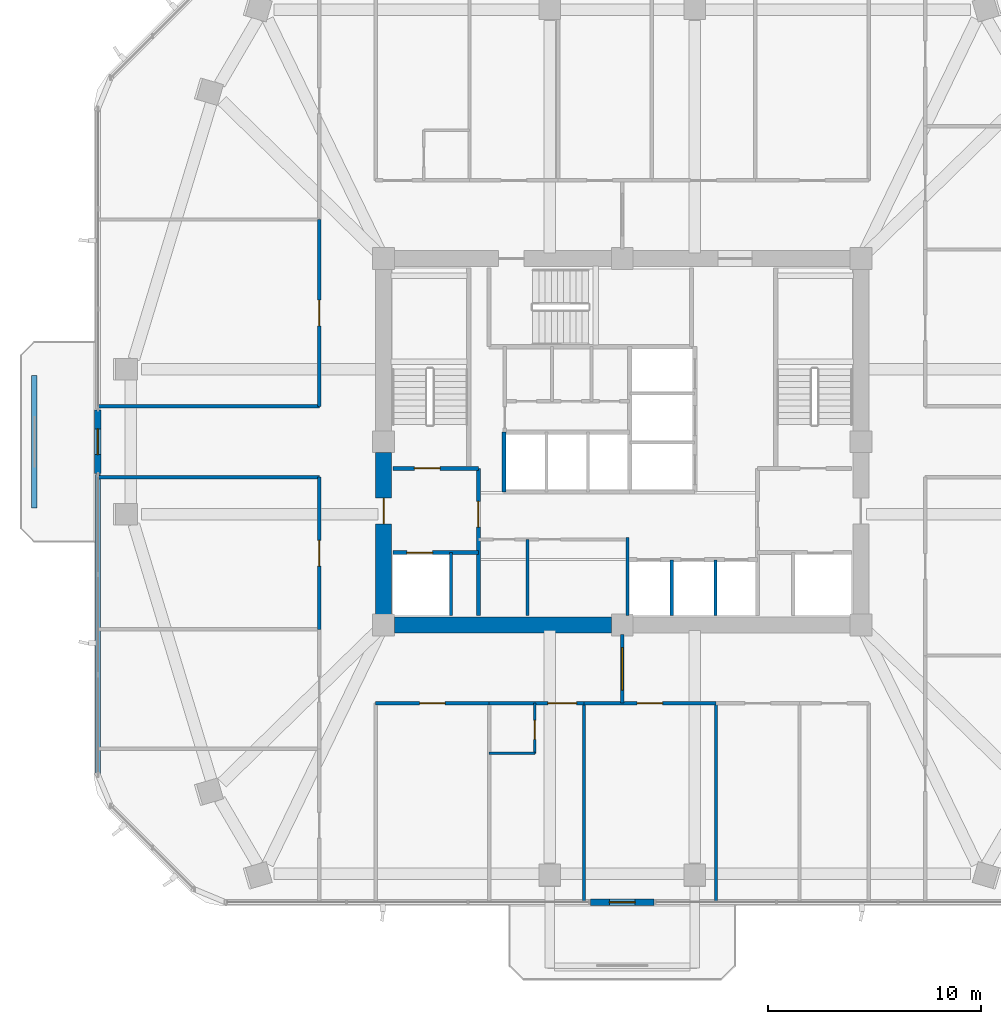
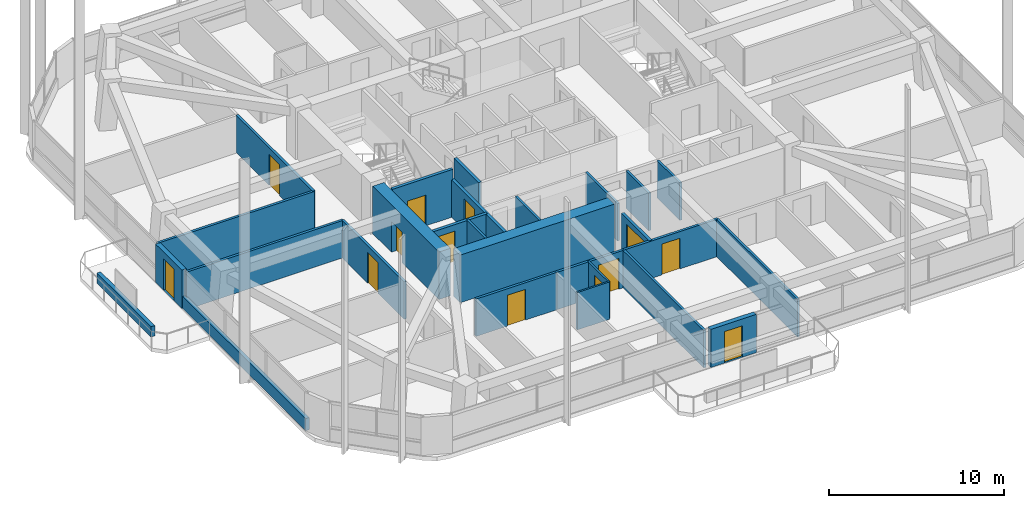
# One storey, part 8 of 15: 27 walls, 13 doors, 13 openings.
"""IFC4 building model written with IfcOpenShell, lengths in metres."""

from ifc_helpers import new_model, si_unit, derived_unit, direction, frame, frame_2d, origin, place, context, subcontext, project, spatial, rectangle, extrude, material, layer, layer_set, type_object, element, fill, save


model = new_model("IFC4")

# Units and contexts
model_context = context("Model", 3, precision=1e-05, world=origin(), true_north=direction((0.0, 1.0)))
body_context = subcontext(model_context, "Body", "Model", "MODEL_VIEW")
ifc_project = project(units=[si_unit("LENGTHUNIT", "METRE"), si_unit("AREAUNIT", "SQUARE_METRE"), si_unit("VOLUMEUNIT", "CUBIC_METRE"), si_unit("PLANEANGLEUNIT", "RADIAN"), si_unit("MASSUNIT", "GRAM", prefix="KILO"), derived_unit("THERMALTRANSMITTANCEUNIT", [(si_unit("POWERUNIT", "WATT"), 1), (si_unit("LENGTHUNIT", "METRE"), -2), (si_unit("THERMODYNAMICTEMPERATUREUNIT", "KELVIN"), -1)])], contexts=[model_context])

# Site, building, storey
site_placement = place(None, origin())
site = spatial("IfcSite", under=ifc_project, at=site_placement, CompositionType="ELEMENT")
building_placement = place(site_placement, origin())
building = spatial("IfcBuilding", under=site, at=building_placement, Name="Koralith Skygarden Medical Center", CompositionType="ELEMENT")
storey_placement = place(building_placement, frame((0.0, 0.0, 113.580078125)))
storey = spatial("IfcBuildingStorey", under=building, at=storey_placement, Name="L29", CompositionType="ELEMENT", Elevation=113.580078125)

# Walls
ifc_material_1 = material(Name="Gypsum Board Partition")
ifc_layer_1 = layer(ifc_material_1, 0.14990234375)
ifc_layer_set_1 = layer_set([ifc_layer_1], Name="Gypsum Board Partition")
wall_type_1 = type_object("IfcWallType", Name="Clinical Acoustic Partition 150", PredefinedType="PARTITIONING", material=ifc_layer_set_1)
wall_1_placement = place(storey_placement, frame((32.550048828125, 17.75, 0.0), z_axis=(0.0, 0.0, 1.0), x_axis=(0.0, 1.0, 0.0)))
element("IfcWall", 1, at=wall_1_placement, inside=storey, type_object=wall_type_1, Name="L29 Clinical Acoustic Partition 150 W-CORE-L29-FREED-LR-M", PredefinedType="PARTITIONING", context=body_context, shape_type="SweptSolid", body=[
    extrude(rectangle(XDim=3.570068359375, YDim=0.14990234375, at=frame_2d((1.78515625, 0.0))), origin(), (0.0, 0.0, 1.0), 2.60986328125),
])
for number, where, z_axis, x_axis, name in (
    (2, (35.199951171875, 13.639892578125, 0.0), (0.0, 0.0, 1.0), (0.0, -1.0, 0.0), "L29 Clinical Acoustic Partition 150 W-PART-L29-S-02"),
    (3, (41.39306640625, 13.639892578125, 0.0), (0.0, 0.0, 1.0), (0.0, -1.0, 0.0), "L29 Clinical Acoustic Partition 150 W-PART-L29-S-03"),
):
    element("IfcWall", number, at=place(storey_placement, frame(where, z_axis=z_axis, x_axis=x_axis)), inside=storey, type_object=wall_type_1, Name=name, PredefinedType="PARTITIONING", context=body_context, shape_type="SweptSolid", body=[
        extrude(rectangle(XDim=9.32080078125, YDim=0.14990234375, at=frame_2d((4.660400390625, 0.0))), origin(), (0.0, 0.0, 1.0), 2.60986328125),
    ])
ifc_layer_2 = layer(ifc_material_1, 0.1650390625)
ifc_layer_set_2 = layer_set([ifc_layer_2], Name="Gypsum Board Partition")
wall_type_2 = type_object("IfcWallType", Name="Clinical Corridor Partition 165", PredefinedType="PARTITIONING", material=ifc_layer_set_2)
for number, where, z_axis, x_axis, name in (
    (4, (12.416015625, 24.239990234375, 0.0), (0.0, 0.0, 1.0), (1.0, 0.0, 0.0), "L29 Clinical Corridor Partition 165 W-HCOR-L29-EWS-W"),
    (5, (12.416015625, 27.56005859375, 0.0), (0.0, 0.0, 1.0), (1.0, 0.0, 0.0), "L29 Clinical Corridor Partition 165 W-HCOR-L29-EWN-W"),
):
    element("IfcWall", number, at=place(storey_placement, frame(where, z_axis=z_axis, x_axis=x_axis)), inside=storey, type_object=wall_type_2, Name=name, PredefinedType="PARTITIONING", context=body_context, shape_type="SweptSolid", body=[
        extrude(rectangle(XDim=10.3740234375, YDim=0.1650390625, at=frame_2d((5.18701171875, 0.0))), origin(), (0.0, 0.0, 1.0), 2.60986328125),
    ])

# Wall, opening, door
wall_2_placement = place(storey_placement, frame((25.429931640625, 13.639892578125, 0.0), z_axis=(0.0, 0.0, 1.0), x_axis=(1.0, 0.0, 0.0)))
wall_2 = element("IfcWall", 6, at=wall_2_placement, inside=storey, type_object=wall_type_2, Name="L29 Clinical Corridor Partition 165 W-CORR-L29-S-01", PredefinedType="PARTITIONING", context=body_context, shape_type="SweptSolid", body=[
    extrude(rectangle(XDim=5.328125, YDim=0.1650390625, at=frame_2d((2.6640625, 0.0))), origin(), (0.0, 0.0, 1.0), 2.60986328125),
])
opening_1_placement = place(wall_2_placement, frame((2.06396484375, 0.0, 0.0)))
opening_1 = element("IfcOpeningElement", 7, at=opening_1_placement, cuts=wall_2, Name="Opening D-CLN", PredefinedType="OPENING", context=body_context, shape_type="SweptSolid", body=[
    extrude(rectangle(XDim=1.199951171875, YDim=2.14990234375, at=frame_2d((0.60009765625, 1.074951171875))), frame((0.0, 0.092529296875, 0.0), z_axis=(0.0, -1.0, 0.0), x_axis=(1.0, 0.0, 0.0)), (0.0, 0.0, 1.0), 0.18505859375),
])
ifc_material_2 = material(Name="Aluminium 6063-T6", Category="aluminium")
door_type_1 = type_object("IfcDoorType", Name="Clinical Corridor Door D-CLN 1200", OperationType="NOTDEFINED", PredefinedType="DOOR", material=ifc_material_2)
door_1_placement = place(opening_1_placement, frame((1.199951171875, 0.0, 0.0), z_axis=(0.0, 0.0, 1.0), x_axis=(-1.0, 0.0, 0.0)))
door_1 = element("IfcDoor", 8, at=door_1_placement, inside=storey, type_object=door_type_1, Name="L29 Cardiopulmonary Rehab Gym Hall 06 Door", OperationType="SINGLE_SWING_LEFT", OverallHeight=2.14990234375, OverallWidth=1.199951171875, PredefinedType="DOOR", context=body_context, shape_type="SweptSolid", body=[
    extrude(rectangle(XDim=1.199951171875, YDim=2.14990234375, at=frame_2d((0.60009765625, 1.074951171875))), frame((0.0, 0.02490234375, 0.0), z_axis=(0.0, -1.0, 0.0), x_axis=(1.0, 0.0, 0.0)), (0.0, 0.0, 1.0), 0.050048828125),
])
fill(opening_1, door_1)

wall_3_placement = place(storey_placement, frame((30.758056640625, 13.639892578125, 0.0), z_axis=(0.0, 0.0, 1.0), x_axis=(1.0, 0.0, 0.0)))
wall_3 = element("IfcWall", 9, at=wall_3_placement, inside=storey, type_object=wall_type_2, Name="L29 Clinical Corridor Partition 165 W-CORR-L29-S-02", PredefinedType="PARTITIONING", context=body_context, shape_type="SweptSolid", body=[
    extrude(rectangle(XDim=4.44189453125, YDim=0.1650390625, at=frame_2d((2.220947265625, 0.0))), origin(), (0.0, 0.0, 1.0), 2.60986328125),
])
opening_2_placement = place(wall_3_placement, frame((2.751953125, 0.0, 0.0)))
opening_2 = element("IfcOpeningElement", 10, at=opening_2_placement, cuts=wall_3, Name="Opening D-BED", PredefinedType="OPENING", context=body_context, shape_type="SweptSolid", body=[
    extrude(rectangle(XDim=1.35009765625, YDim=2.14990234375, at=frame_2d((0.675048828125, 1.074951171875))), frame((0.0, 0.092529296875, 0.0), z_axis=(0.0, -1.0, 0.0), x_axis=(1.0, 0.0, 0.0)), (0.0, 0.0, 1.0), 0.18505859375),
])
door_type_2 = type_object("IfcDoorType", Name="Inpatient Bed Leaf Door D-BED 1350", OperationType="NOTDEFINED", PredefinedType="DOOR", material=ifc_material_2)
door_2_placement = place(opening_2_placement, frame((1.35009765625, 0.0, 0.0), z_axis=(0.0, 0.0, 1.0), x_axis=(-1.0, 0.0, 0.0)))
door_2 = element("IfcDoor", 11, at=door_2_placement, inside=storey, type_object=door_type_2, Name="L29 Inpatient Bedroom 07 Door", OperationType="SINGLE_SWING_RIGHT", OverallHeight=2.14990234375, OverallWidth=1.35009765625, PredefinedType="DOOR", context=body_context, shape_type="SweptSolid", body=[
    extrude(rectangle(XDim=1.35009765625, YDim=2.14990234375, at=frame_2d((0.675048828125, 1.074951171875))), frame((0.0, 0.02490234375, 0.0), z_axis=(0.0, -1.0, 0.0), x_axis=(1.0, 0.0, 0.0)), (0.0, 0.0, 1.0), 0.050048828125),
])
fill(opening_2, door_2)

wall_4_placement = place(storey_placement, frame((35.199951171875, 13.639892578125, 0.0), z_axis=(0.0, 0.0, 1.0), x_axis=(1.0, 0.0, 0.0)))
wall_4 = element("IfcWall", 12, at=wall_4_placement, inside=storey, type_object=wall_type_2, Name="L29 Clinical Corridor Partition 165 W-CORR-L29-S-03", PredefinedType="PARTITIONING", context=body_context, shape_type="SweptSolid", body=[
    extrude(rectangle(XDim=6.193115234375, YDim=0.1650390625, at=frame_2d((3.0966796875, 0.0))), origin(), (0.0, 0.0, 1.0), 2.60986328125),
])
opening_3_placement = place(wall_4_placement, frame((2.49609375, 0.0, 0.0)))
opening_3 = element("IfcOpeningElement", 13, at=opening_3_placement, cuts=wall_4, Name="Opening D-CLN", PredefinedType="OPENING", context=body_context, shape_type="SweptSolid", body=[
    extrude(rectangle(XDim=1.199951171875, YDim=2.14990234375, at=frame_2d((0.60009765625, 1.074951171875))), frame((0.0, 0.092529296875, 0.0), z_axis=(0.0, -1.0, 0.0), x_axis=(1.0, 0.0, 0.0)), (0.0, 0.0, 1.0), 0.18505859375),
])
door_3_placement = place(opening_3_placement, frame((1.199951171875, 0.0, 0.0), z_axis=(0.0, 0.0, 1.0), x_axis=(-1.0, 0.0, 0.0)))
door_3 = element("IfcDoor", 14, at=door_3_placement, inside=storey, type_object=door_type_1, Name="L29 Patient and Family Sky-Garden Day Lounge 08 Door", OperationType="SINGLE_SWING_LEFT", OverallHeight=2.14990234375, OverallWidth=1.199951171875, PredefinedType="DOOR", context=body_context, shape_type="SweptSolid", body=[
    extrude(rectangle(XDim=1.199951171875, YDim=2.14990234375, at=frame_2d((0.60009765625, 1.074951171875))), frame((0.0, 0.02490234375, 0.0), z_axis=(0.0, -1.0, 0.0), x_axis=(1.0, 0.0, 0.0)), (0.0, 0.0, 1.0), 0.050048828125),
])
fill(opening_3, door_3)

wall_5_placement = place(storey_placement, frame((22.7900390625, 17.10107421875, 0.0), z_axis=(0.0, 0.0, 1.0), x_axis=(0.0, 1.0, 0.0)))
wall_5 = element("IfcWall", 15, at=wall_5_placement, inside=storey, type_object=wall_type_2, Name="L29 Clinical Corridor Partition 165 W-CORR-L29-WS-03", PredefinedType="PARTITIONING", context=body_context, shape_type="SweptSolid", body=[
    extrude(rectangle(XDim=7.138916015625, YDim=0.1650390625, at=frame_2d((3.5693359375, 0.0))), origin(), (0.0, 0.0, 1.0), 2.60986328125),
])
opening_4_placement = place(wall_5_placement, frame((2.968994140625, 0.0, 0.0)))
opening_4 = element("IfcOpeningElement", 16, at=opening_4_placement, cuts=wall_5, Name="Opening D-CLN", PredefinedType="OPENING", context=body_context, shape_type="SweptSolid", body=[
    extrude(rectangle(XDim=1.199951171875, YDim=2.14990234375, at=frame_2d((0.60009765625, 1.074951171875))), frame((0.0, 0.092529296875, 0.0), z_axis=(0.0, -1.0, 0.0), x_axis=(1.0, 0.0, 0.0)), (0.0, 0.0, 1.0), 0.18505859375),
])
door_4_placement = place(opening_4_placement, frame((1.199951171875, 0.0, 0.0), z_axis=(0.0, 0.0, 1.0), x_axis=(-1.0, 0.0, 0.0)))
door_4 = element("IfcDoor", 17, at=door_4_placement, inside=storey, type_object=door_type_1, Name="L29 Patient Rest Lounge 13 Door", OperationType="SINGLE_SWING_RIGHT", OverallHeight=2.14990234375, OverallWidth=1.199951171875, PredefinedType="DOOR", context=body_context, shape_type="SweptSolid", body=[
    extrude(rectangle(XDim=1.199951171875, YDim=2.14990234375, at=frame_2d((0.60009765625, 1.074951171875))), frame((0.0, 0.02490234375, 0.0), z_axis=(0.0, -1.0, 0.0), x_axis=(1.0, 0.0, 0.0)), (0.0, 0.0, 1.0), 0.050048828125),
])
fill(opening_4, door_4)

wall_6_placement = place(storey_placement, frame((22.7900390625, 27.56005859375, 0.0), z_axis=(0.0, 0.0, 1.0), x_axis=(0.0, 1.0, 0.0)))
wall_6 = element("IfcWall", 18, at=wall_6_placement, inside=storey, type_object=wall_type_2, Name="L29 Clinical Corridor Partition 165 W-CORR-L29-WN-01", PredefinedType="PARTITIONING", context=body_context, shape_type="SweptSolid", body=[
    extrude(rectangle(XDim=8.764892578125, YDim=0.1650390625, at=frame_2d((4.38232421875, 0.0))), origin(), (0.0, 0.0, 1.0), 2.60986328125),
])
opening_5_placement = place(wall_6_placement, frame((3.782958984375, 0.0, 0.0)))
opening_5 = element("IfcOpeningElement", 19, at=opening_5_placement, cuts=wall_6, Name="Opening D-CLN", PredefinedType="OPENING", context=body_context, shape_type="SweptSolid", body=[
    extrude(rectangle(XDim=1.199951171875, YDim=2.14990234375, at=frame_2d((0.60009765625, 1.074951171875))), frame((0.0, 0.092529296875, 0.0), z_axis=(0.0, -1.0, 0.0), x_axis=(1.0, 0.0, 0.0)), (0.0, 0.0, 1.0), 0.18505859375),
])
door_5_placement = place(opening_5_placement, frame((1.199951171875, 0.0, 0.0), z_axis=(0.0, 0.0, 1.0), x_axis=(-1.0, 0.0, 0.0)))
door_5 = element("IfcDoor", 20, at=door_5_placement, inside=storey, type_object=door_type_1, Name="L29 Exercise Physiologist Office 14 Door", OperationType="SINGLE_SWING_LEFT", OverallHeight=2.14990234375, OverallWidth=1.199951171875, PredefinedType="DOOR", context=body_context, shape_type="SweptSolid", body=[
    extrude(rectangle(XDim=1.199951171875, YDim=2.14990234375, at=frame_2d((0.60009765625, 1.074951171875))), frame((0.0, 0.02490234375, 0.0), z_axis=(0.0, -1.0, 0.0), x_axis=(1.0, 0.0, 0.0)), (0.0, 0.0, 1.0), 0.050048828125),
])
fill(opening_5, door_5)

ifc_layer_3 = layer(ifc_material_1, 0.199951171875)
ifc_layer_set_3 = layer_set([ifc_layer_3], Name="Gypsum Board Partition")
wall_type_3 = type_object("IfcWallType", Name="Fire Shaft Wall 200", PredefinedType="SOLIDWALL", material=ifc_layer_set_3)
wall_7_placement = place(storey_placement, frame((26.25, 20.699951171875, 0.0), z_axis=(0.0, 0.0, 1.0), x_axis=(1.0, 0.0, 0.0)))
wall_7 = element("IfcWall", 21, at=wall_7_placement, inside=storey, type_object=wall_type_3, Name="L29 Fire Shaft Wall 200 W-CORE-L29-FF1-N", PredefinedType="SOLIDWALL", context=body_context, shape_type="SweptSolid", body=[
    extrude(rectangle(XDim=4.0, YDim=0.199951171875, at=frame_2d((2.0, 0.0))), origin(), (0.0, 0.0, 1.0), 2.60986328125),
])
opening_6_placement = place(wall_7_placement, frame((0.64990234375, 0.0, 0.0)))
opening_6 = element("IfcOpeningElement", 22, at=opening_6_placement, cuts=wall_7, Name="Opening LD-FF", PredefinedType="OPENING", context=body_context, shape_type="SweptSolid", body=[
    extrude(rectangle(XDim=1.199951171875, YDim=2.14990234375, at=frame_2d((0.60009765625, 1.074951171875))), frame((0.0, 0.10986328125, 0.0), z_axis=(0.0, -1.0, 0.0), x_axis=(1.0, 0.0, 0.0)), (0.0, 0.0, 1.0), 0.219970703125),
])
ifc_material_3 = material(Name="Steel ASTM A500 Grade C", Category="steel")
door_type_3 = type_object("IfcDoorType", Name="Fire Lift Sliding Landing Door LD-FF 1200", OperationType="NOTDEFINED", PredefinedType="DOOR", material=ifc_material_3)
door_6_placement = place(opening_6_placement, origin())
door_6 = element("IfcDoor", 23, at=door_6_placement, inside=storey, type_object=door_type_3, Name="L29 Fire Service Elevator FF1 Landing Door", OperationType="SLIDING_TO_LEFT", OverallHeight=2.14990234375, OverallWidth=1.199951171875, PredefinedType="DOOR", context=body_context, shape_type="SweptSolid", body=[
    extrude(rectangle(XDim=1.199951171875, YDim=2.14990234375, at=frame_2d((0.60009765625, 1.074951171875))), frame((0.0, 0.02490234375, 0.0), z_axis=(0.0, -1.0, 0.0), x_axis=(1.0, 0.0, 0.0)), (0.0, 0.0, 1.0), 0.050048828125),
])
fill(opening_6, door_6)

wall_8_placement = place(storey_placement, frame((30.25, 17.75, 0.0), z_axis=(0.0, 0.0, 1.0), x_axis=(0.0, 1.0, 0.0)))
wall_8 = element("IfcWall", 24, at=wall_8_placement, inside=storey, type_object=wall_type_3, Name="L29 Fire Shaft Wall 200 W-CORE-L29-FSAEW-E", PredefinedType="SOLIDWALL", context=body_context, shape_type="SweptSolid", body=[
    extrude(rectangle(XDim=6.89990234375, YDim=0.199951171875, at=frame_2d((3.449951171875, 0.0))), origin(), (0.0, 0.0, 1.0), 2.60986328125),
])
opening_7_placement = place(wall_8_placement, frame((4.14990234375, 0.0, 0.0)))
opening_7 = element("IfcOpeningElement", 25, at=opening_7_placement, cuts=wall_8, Name="Opening D-ST60", PredefinedType="OPENING", context=body_context, shape_type="SweptSolid", body=[
    extrude(rectangle(XDim=1.199951171875, YDim=2.14990234375, at=frame_2d((0.60009765625, 1.074951171875))), frame((0.0, 0.10986328125, 0.0), z_axis=(0.0, -1.0, 0.0), x_axis=(1.0, 0.0, 0.0)), (0.0, 0.0, 1.0), 0.219970703125),
])
door_type_4 = type_object("IfcDoorType", Name="Smokeproof Stair Fire Door FD60S 1200", OperationType="NOTDEFINED", PredefinedType="DOOR", material=ifc_material_3)
door_7_placement = place(opening_7_placement, origin())
door_7 = element("IfcDoor", 26, at=door_7_placement, inside=storey, type_object=door_type_4, Name="L29 West Firefighting Lobby Inner Fire Door", OperationType="SINGLE_SWING_LEFT", OverallHeight=2.14990234375, OverallWidth=1.199951171875, PredefinedType="DOOR", context=body_context, shape_type="SweptSolid", body=[
    extrude(rectangle(XDim=1.199951171875, YDim=2.14990234375, at=frame_2d((0.60009765625, 1.074951171875))), frame((0.0, 0.02490234375, 0.0), z_axis=(0.0, -1.0, 0.0), x_axis=(1.0, 0.0, 0.0)), (0.0, 0.0, 1.0), 0.050048828125),
])
fill(opening_7, door_7)

# Wall
wall_9_placement = place(storey_placement, frame((31.449951171875, 23.5400390625, 0.0), z_axis=(0.0, 0.0, 1.0), x_axis=(0.0, 1.0, 0.0)))
element("IfcWall", 27, at=wall_9_placement, inside=storey, type_object=wall_type_3, Name="L29 Fire Shaft Wall 200 W-CORE-L29-PH-W", PredefinedType="SOLIDWALL", context=body_context, shape_type="SweptSolid", body=[
    extrude(rectangle(XDim=2.81005859375, YDim=0.199951171875, at=frame_2d((1.405029296875, 0.0))), origin(), (0.0, 0.0, 1.0), 2.60986328125),
])

# Wall, opening, door
ifc_layer_4 = layer(ifc_material_1, 0.179931640625)
ifc_layer_set_4 = layer_set([ifc_layer_4], Name="Gypsum Board Partition")
wall_type_4 = type_object("IfcWallType", Name="Group I-2 Smoke Barrier Wall 180", PredefinedType="PARTITIONING", material=ifc_layer_set_4)
wall_10_placement = place(storey_placement, frame((37.0, 13.639892578125, 0.0), z_axis=(0.0, 0.0, 1.0), x_axis=(0.0, 1.0, 0.0)))
wall_10 = element("IfcWall", 28, at=wall_10_placement, inside=storey, type_object=wall_type_4, Name="L29 Group I-2 Smoke Barrier Wall 180 W-SMK-L29-S", PredefinedType="PARTITIONING", context=body_context, shape_type="SweptSolid", body=[
    extrude(rectangle(XDim=3.210205078125, YDim=0.179931640625, at=frame_2d((1.60498046875, 0.0))), origin(), (0.0, 0.0, 1.0), 2.60986328125),
])
opening_8_placement = place(wall_10_placement, frame((0.60498046875, 0.0, 0.0)))
opening_8 = element("IfcOpeningElement", 29, at=opening_8_placement, cuts=wall_10, Name="Opening D-SMK", PredefinedType="OPENING", context=body_context, shape_type="SweptSolid", body=[
    extrude(rectangle(XDim=2.0, YDim=2.199951171875, at=frame_2d((1.0, 1.10009765625))), frame((0.0, 0.099853515625, 0.0), z_axis=(0.0, -1.0, 0.0), x_axis=(1.0, 0.0, 0.0)), (0.0, 0.0, 1.0), 0.199951171875),
])
door_type_5 = type_object("IfcDoorType", Name="Cross-Corridor Double Smoke Door FD60S 2000", OperationType="NOTDEFINED", PredefinedType="DOOR", material=ifc_material_3)
door_8_placement = place(opening_8_placement, frame((2.0, 0.0, 0.0), z_axis=(0.0, 0.0, 1.0), x_axis=(-1.0, 0.0, 0.0)))
door_8 = element("IfcDoor", 30, at=door_8_placement, inside=storey, type_object=door_type_5, Name="L29 S Smoke Compartment Cross-Corridor Door", OperationType="DOUBLE_DOOR_SINGLE_SWING", OverallHeight=2.199951171875, OverallWidth=2.0, PredefinedType="DOOR", context=body_context, shape_type="SweptSolid", body=[
    extrude(rectangle(XDim=2.0, YDim=2.199951171875, at=frame_2d((1.0, 1.10009765625))), frame((0.0, 0.02490234375, 0.0), z_axis=(0.0, -1.0, 0.0), x_axis=(1.0, 0.0, 0.0)), (0.0, 0.0, 1.0), 0.050048828125),
])
fill(opening_8, door_8)

# Walls
ifc_material_4 = material(Name="Warm Oolitic Limestone Cladding", Category="masonry")
ifc_layer_5 = layer(ifc_material_4, 0.239990234375)
ifc_layer_set_5 = layer_set([ifc_layer_5], Name="Warm Oolitic Limestone Cladding")
wall_type_5 = type_object("IfcWallType", Name="Limestone Spandrel Sill Backup Wall 240", PredefinedType="SOLIDWALL", material=ifc_layer_set_5)
wall_11_placement = place(storey_placement, frame((12.39599609375, 24.360107421875, 0.0), z_axis=(0.0, 0.0, 1.0), x_axis=(0.0, -1.0, 0.0)))
element("IfcWall", 31, at=wall_11_placement, inside=storey, type_object=wall_type_5, Name="L29 Sill Spandrel W-R", PredefinedType="SOLIDWALL", context=body_context, shape_type="SweptSolid", body=[
    extrude(rectangle(XDim=14.085205078125, YDim=0.239990234375, at=frame_2d((7.04248046875, 0.0))), origin(), (0.0, 0.0, 1.0), 0.849853515625),
])
ifc_material_5 = material(Name="Concrete C70/85", Category="concrete")
ifc_layer_6 = layer(ifc_material_5, 0.75)
ifc_layer_set_6 = layer_set([ifc_layer_6], Name="Concrete C70/85")
wall_type_6 = type_object("IfcWallType", Name="Mid Core Shear Wall 750", PredefinedType="SHEAR", material=ifc_layer_set_6)
wall_12_placement = place(storey_placement, frame((26.304931640625, 17.300048828125, 0.0), z_axis=(0.0, 0.0, 1.0), x_axis=(1.0, 0.0, 0.0)))
element("IfcWall", 32, at=wall_12_placement, inside=storey, type_object=wall_type_6, Name="L29 Core Shear Wall Segment 1", PredefinedType="SHEAR", context=body_context, shape_type="SweptSolid", body=[
    extrude(rectangle(XDim=10.190185546875, YDim=0.75, at=frame_2d((5.09521484375, 0.0))), origin(), (0.0, 0.0, 1.0), 3.31982421875),
])

# Wall, opening, door
wall_13_placement = place(storey_placement, frame((25.800048828125, 25.39501953125, 0.0), z_axis=(0.0, 0.0, 1.0), x_axis=(0.0, -1.0, 0.0)))
wall_13 = element("IfcWall", 33, at=wall_13_placement, inside=storey, type_object=wall_type_6, Name="L29 Core Shear Wall Segment 8", PredefinedType="SHEAR", context=body_context, shape_type="SweptSolid", body=[
    extrude(rectangle(XDim=7.590087890625, YDim=0.75, at=frame_2d((3.794921875, 0.0))), origin(), (0.0, 0.0, 1.0), 3.31982421875),
])
opening_9_placement = place(wall_13_placement, frame((2.14501953125, 0.0, 0.0)))
opening_9 = element("IfcOpeningElement", 34, at=opening_9_placement, cuts=wall_13, Name="Opening D-ST60", PredefinedType="OPENING", context=body_context, shape_type="SweptSolid", body=[
    extrude(rectangle(XDim=1.199951171875, YDim=2.14990234375, at=frame_2d((0.60009765625, 1.074951171875))), frame((0.0, 0.385009765625, 0.0), z_axis=(0.0, -1.0, 0.0), x_axis=(1.0, 0.0, 0.0)), (0.0, 0.0, 1.0), 0.77001953125),
])
door_9_placement = place(opening_9_placement, frame((1.199951171875, 0.0, 0.0), z_axis=(0.0, 0.0, 1.0), x_axis=(-1.0, 0.0, 0.0)))
door_9 = element("IfcDoor", 35, at=door_9_placement, inside=storey, type_object=door_type_4, Name="L29 West Corridor to Firefighting Lobby Door", OperationType="SINGLE_SWING_LEFT", OverallHeight=2.14990234375, OverallWidth=1.199951171875, PredefinedType="DOOR", context=body_context, shape_type="SweptSolid", body=[
    extrude(rectangle(XDim=1.199951171875, YDim=2.14990234375, at=frame_2d((0.60009765625, 1.074951171875))), frame((0.0, 0.02490234375, 0.0), z_axis=(0.0, -1.0, 0.0), x_axis=(1.0, 0.0, 0.0)), (0.0, 0.0, 1.0), 0.050048828125),
])
fill(opening_9, door_9)

ifc_layer_7 = layer(ifc_material_4, 0.300048828125)
ifc_layer_set_7 = layer_set([ifc_layer_7], Name="Warm Oolitic Limestone Cladding")
wall_type_7 = type_object("IfcWallType", Name="Oolitic Limestone Insulated Facade Wall 300", PredefinedType="SOLIDWALL", material=ifc_layer_set_7)
wall_14_placement = place(storey_placement, frame((35.4990234375, 4.299072265625, 0.0), z_axis=(0.0, 0.0, 1.0), x_axis=(1.0, 0.0, 0.0)))
wall_14 = element("IfcWall", 36, at=wall_14_placement, inside=storey, type_object=wall_type_7, Name="L29 Terrace Portal Wall S", PredefinedType="SOLIDWALL", context=body_context, shape_type="SweptSolid", body=[
    extrude(rectangle(XDim=3.0, YDim=0.300048828125, at=frame_2d((1.5, 0.0))), origin(), (0.0, 0.0, 1.0), 2.669921875),
])
opening_10_placement = place(wall_14_placement, frame((0.89990234375, 0.0, 0.0)))
opening_10 = element("IfcOpeningElement", 37, at=opening_10_placement, cuts=wall_14, Name="Opening D-BAL", PredefinedType="OPENING", context=body_context, shape_type="SweptSolid", body=[
    extrude(rectangle(XDim=1.199951171875, YDim=2.199951171875, at=frame_2d((0.60009765625, 1.10009765625))), frame((0.0, 0.159912109375, 0.0), z_axis=(0.0, -1.0, 0.0), x_axis=(1.0, 0.0, 0.0)), (0.0, 0.0, 1.0), 0.320068359375),
])
door_type_6 = type_object("IfcDoorType", Name="Planted Balcony Glazed Terrace Door D-BAL 1200", OperationType="NOTDEFINED", PredefinedType="DOOR", material=ifc_material_2)
door_10_placement = place(opening_10_placement, origin())
door_10 = element("IfcDoor", 38, at=door_10_placement, inside=storey, type_object=door_type_6, Name="L29 S Outdoor Terrace Access Door", OperationType="SINGLE_SWING_RIGHT", OverallHeight=2.199951171875, OverallWidth=1.199951171875, PredefinedType="DOOR", context=body_context, shape_type="SweptSolid", body=[
    extrude(rectangle(XDim=1.199951171875, YDim=2.199951171875, at=frame_2d((0.60009765625, 1.10009765625))), frame((0.0, 0.02490234375, 0.0), z_axis=(0.0, -1.0, 0.0), x_axis=(1.0, 0.0, 0.0)), (0.0, 0.0, 1.0), 0.050048828125),
])
fill(opening_10, door_10)

wall_15_placement = place(storey_placement, frame((12.39599609375, 27.39990234375, 0.0), z_axis=(0.0, 0.0, 1.0), x_axis=(0.0, -1.0, 0.0)))
wall_15 = element("IfcWall", 39, at=wall_15_placement, inside=storey, type_object=wall_type_7, Name="L29 Terrace Portal Wall W", PredefinedType="SOLIDWALL", context=body_context, shape_type="SweptSolid", body=[
    extrude(rectangle(XDim=3.0, YDim=0.300048828125, at=frame_2d((1.5, 0.0))), origin(), (0.0, 0.0, 1.0), 2.669921875),
])
opening_11_placement = place(wall_15_placement, frame((0.89990234375, 0.0, 0.0)))
opening_11 = element("IfcOpeningElement", 40, at=opening_11_placement, cuts=wall_15, Name="Opening D-BAL", PredefinedType="OPENING", context=body_context, shape_type="SweptSolid", body=[
    extrude(rectangle(XDim=1.199951171875, YDim=2.199951171875, at=frame_2d((0.60009765625, 1.10009765625))), frame((0.0, 0.159912109375, 0.0), z_axis=(0.0, -1.0, 0.0), x_axis=(1.0, 0.0, 0.0)), (0.0, 0.0, 1.0), 0.320068359375),
])
door_11_placement = place(opening_11_placement, origin())
door_11 = element("IfcDoor", 41, at=door_11_placement, inside=storey, type_object=door_type_6, Name="L29 W Outdoor Terrace Access Door", OperationType="SINGLE_SWING_RIGHT", OverallHeight=2.199951171875, OverallWidth=1.199951171875, PredefinedType="DOOR", context=body_context, shape_type="SweptSolid", body=[
    extrude(rectangle(XDim=1.199951171875, YDim=2.199951171875, at=frame_2d((0.60009765625, 1.10009765625))), frame((0.0, 0.02490234375, 0.0), z_axis=(0.0, -1.0, 0.0), x_axis=(1.0, 0.0, 0.0)), (0.0, 0.0, 1.0), 0.050048828125),
])
fill(opening_11, door_11)

ifc_layer_8 = layer(ifc_material_1, 0.1201171875)
ifc_layer_set_8 = layer_set([ifc_layer_8], Name="Gypsum Board Partition")
wall_type_8 = type_object("IfcWallType", Name="Plumbing Wet Wall 120", PredefinedType="PLUMBINGWALL", material=ifc_layer_set_8)
wall_16_placement = place(storey_placement, frame((32.89794921875, 11.280029296875, 0.0), z_axis=(0.0, 0.0, 1.0), x_axis=(0.0, 1.0, 0.0)))
wall_16 = element("IfcWall", 42, at=wall_16_placement, inside=storey, type_object=wall_type_8, Name="L29 Plumbing Wet Wall 120 W-ENS-L29-07A", PredefinedType="PLUMBINGWALL", context=body_context, shape_type="SweptSolid", body=[
    extrude(rectangle(XDim=2.35986328125, YDim=0.1201171875, at=frame_2d((1.179931640625, 0.0))), origin(), (0.0, 0.0, 1.0), 2.60986328125),
])
opening_12_placement = place(wall_16_placement, frame((0.64990234375, 0.0, 0.0)))
opening_12 = element("IfcOpeningElement", 43, at=opening_12_placement, cuts=wall_16, Name="Opening D-ENS", PredefinedType="OPENING", context=body_context, shape_type="SweptSolid", body=[
    extrude(rectangle(XDim=0.89990234375, YDim=2.10009765625, at=frame_2d((0.449951171875, 1.050048828125))), frame((0.0, 0.070068359375, 0.0), z_axis=(0.0, -1.0, 0.0), x_axis=(1.0, 0.0, 0.0)), (0.0, 0.0, 1.0), 0.14013671875),
])
door_type_7 = type_object("IfcDoorType", Name="En-Suite Bathroom Door D-ENS 900", OperationType="NOTDEFINED", PredefinedType="DOOR", material=ifc_material_2)
door_12_placement = place(opening_12_placement, frame((0.89990234375, 0.0, 0.0), z_axis=(0.0, 0.0, 1.0), x_axis=(-1.0, 0.0, 0.0)))
door_12 = element("IfcDoor", 44, at=door_12_placement, inside=storey, type_object=door_type_7, Name="L29 En-Suite 07 Door", OperationType="SINGLE_SWING_RIGHT", OverallHeight=2.10009765625, OverallWidth=0.89990234375, PredefinedType="DOOR", context=body_context, shape_type="SweptSolid", body=[
    extrude(rectangle(XDim=0.89990234375, YDim=2.10009765625, at=frame_2d((0.449951171875, 1.050048828125))), frame((0.0, 0.02490234375, 0.0), z_axis=(0.0, -1.0, 0.0), x_axis=(1.0, 0.0, 0.0)), (0.0, 0.0, 1.0), 0.050048828125),
])
fill(opening_12, door_12)

# Walls
wall_17_placement = place(storey_placement, frame((30.758056640625, 11.280029296875, 0.0), z_axis=(0.0, 0.0, 1.0), x_axis=(1.0, 0.0, 0.0)))
element("IfcWall", 45, at=wall_17_placement, inside=storey, type_object=wall_type_8, Name="L29 Plumbing Wet Wall 120 W-ENS-L29-07B", PredefinedType="PLUMBINGWALL", context=body_context, shape_type="SweptSolid", body=[
    extrude(rectangle(XDim=2.139892578125, YDim=0.1201171875, at=frame_2d((1.06982421875, 0.0))), origin(), (0.0, 0.0, 1.0), 2.60986328125),
])
ifc_layer_9 = layer(ifc_material_1, 0.14990234375)
ifc_layer_set_9 = layer_set([ifc_layer_9], Name="Gypsum Board Partition")
wall_type_9 = type_object("IfcWallType", Name="Shaft Partition Wall 150", PredefinedType="PARTITIONING", material=ifc_layer_set_9)
wall_18_placement = place(storey_placement, frame((28.969970703125, 17.75, 0.0), z_axis=(0.0, 0.0, 1.0), x_axis=(0.0, 1.0, 0.0)))
element("IfcWall", 46, at=wall_18_placement, inside=storey, type_object=wall_type_9, Name="L29 Shaft Partition Wall 150 W-CORE-L29-RSRW-DIV", PredefinedType="PARTITIONING", context=body_context, shape_type="SweptSolid", body=[
    extrude(rectangle(XDim=2.949951171875, YDim=0.14990234375, at=frame_2d((1.47509765625, 0.0))), origin(), (0.0, 0.0, 1.0), 2.60986328125),
])
for number, where, z_axis, x_axis, name in (
    (47, (39.320068359375, 17.75, 0.0), (0.0, 0.0, 1.0), (0.0, 1.0, 0.0), "L29 Shaft Partition Wall 150 W-CORE-L29-PM-D1"),
    (48, (41.3701171875, 17.75, 0.0), (0.0, 0.0, 1.0), (0.0, 1.0, 0.0), "L29 Shaft Partition Wall 150 W-CORE-L29-PM-D2"),
):
    element("IfcWall", number, at=place(storey_placement, frame(where, z_axis=z_axis, x_axis=x_axis)), inside=storey, type_object=wall_type_9, Name=name, PredefinedType="PARTITIONING", context=body_context, shape_type="SweptSolid", body=[
        extrude(rectangle(XDim=2.610107421875, YDim=0.14990234375, at=frame_2d((1.30517578125, 0.0))), origin(), (0.0, 0.0, 1.0), 2.60986328125),
    ])
wall_19_placement = place(storey_placement, frame((37.25, 17.75, 0.0), z_axis=(0.0, 0.0, 1.0), x_axis=(0.0, 1.0, 0.0)))
element("IfcWall", 49, at=wall_19_placement, inside=storey, type_object=wall_type_9, Name="L29 Shaft Partition Wall 150 W-CORE-L29-PL-PM-SEP", PredefinedType="PARTITIONING", context=body_context, shape_type="SweptSolid", body=[
    extrude(rectangle(XDim=3.64990234375, YDim=0.14990234375, at=frame_2d((1.824951171875, 0.0))), origin(), (0.0, 0.0, 1.0), 2.60986328125),
])
ifc_material_6 = material(Name="Precast concrete C40/50", Category="concrete")
ifc_layer_10 = layer(ifc_material_6, 0.25)
ifc_layer_set_10 = layer_set([ifc_layer_10], Name="Precast concrete C40/50")
wall_type_10 = type_object("IfcWallType", Name="Structural Concrete Balcony Planter Kerb 250", PredefinedType="PARAPET", material=ifc_layer_set_10)
wall_20_placement = place(storey_placement, frame((9.416015625, 22.800048828125, 0.0), z_axis=(0.0, 0.0, 1.0), x_axis=(0.0, 1.0, 0.0)))
element("IfcWall", 50, at=wall_20_placement, inside=storey, type_object=wall_type_10, Name="L29 W Structural Tree PLANTER Box", PredefinedType="PARAPET", context=body_context, shape_type="SweptSolid", body=[
    extrude(rectangle(XDim=6.199951171875, YDim=0.25, at=frame_2d((3.10009765625, 0.0))), origin(), (0.0, 0.0, 1.0), 0.719970703125),
])

# Wall, opening, door
ifc_material_7 = material(Name="Concrete C45/55", Category="concrete")
ifc_layer_11 = layer(ifc_material_7, 0.199951171875)
ifc_layer_set_11 = layer_set([ifc_layer_11], Name="Concrete C45/55")
wall_type_11 = type_object("IfcWallType", Name="Structural Stair Shaft Wall 200", PredefinedType="SHEAR", material=ifc_layer_set_11)
wall_21_placement = place(storey_placement, frame((26.25, 24.64990234375, 0.0), z_axis=(0.0, 0.0, 1.0), x_axis=(1.0, 0.0, 0.0)))
wall_21 = element("IfcWall", 51, at=wall_21_placement, inside=storey, type_object=wall_type_11, Name="L29 Structural Stair Shaft Wall 200 W-CORE-L29-ST1-S", PredefinedType="SHEAR", context=body_context, shape_type="SweptSolid", body=[
    extrude(rectangle(XDim=4.0, YDim=0.199951171875, at=frame_2d((2.0, 0.0))), origin(), (0.0, 0.0, 1.0), 3.31982421875),
])
opening_13_placement = place(wall_21_placement, frame((1.0, 0.0, 0.0)))
opening_13 = element("IfcOpeningElement", 52, at=opening_13_placement, cuts=wall_21, Name="Opening D-ST60", PredefinedType="OPENING", context=body_context, shape_type="SweptSolid", body=[
    extrude(rectangle(XDim=1.199951171875, YDim=2.14990234375, at=frame_2d((0.60009765625, 1.074951171875))), frame((0.0, 0.10986328125, 0.0), z_axis=(0.0, -1.0, 0.0), x_axis=(1.0, 0.0, 0.0)), (0.0, 0.0, 1.0), 0.219970703125),
])
door_13_placement = place(opening_13_placement, origin())
door_13 = element("IfcDoor", 53, at=door_13_placement, inside=storey, type_object=door_type_4, Name="L29 Exit Stair ST1 Fire Door", OperationType="SINGLE_SWING_LEFT", OverallHeight=2.14990234375, OverallWidth=1.199951171875, PredefinedType="DOOR", context=body_context, shape_type="SweptSolid", body=[
    extrude(rectangle(XDim=1.199951171875, YDim=2.14990234375, at=frame_2d((0.60009765625, 1.074951171875))), frame((0.0, 0.02490234375, 0.0), z_axis=(0.0, -1.0, 0.0), x_axis=(1.0, 0.0, 0.0)), (0.0, 0.0, 1.0), 0.050048828125),
])
fill(opening_13, door_13)

save(model, "model.ifc")
